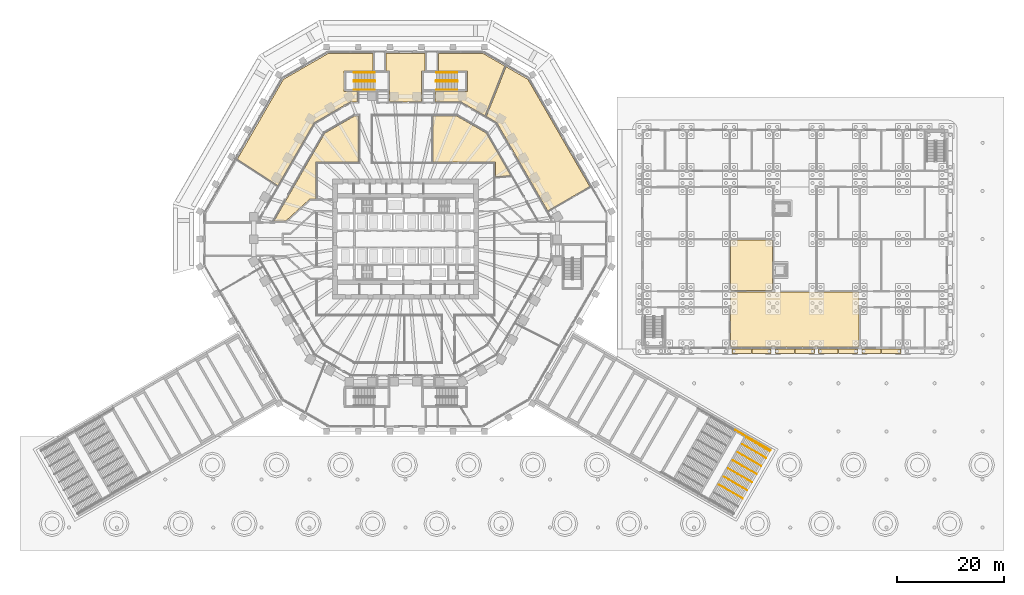
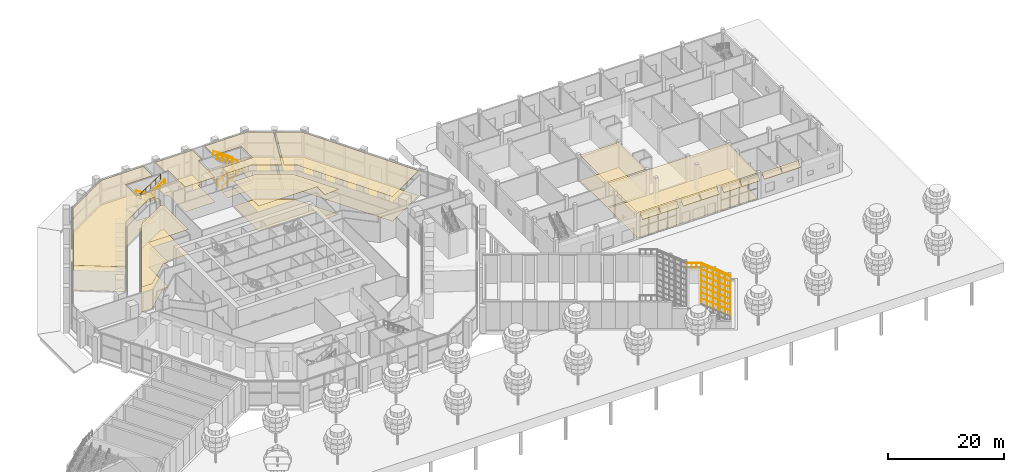
# One storey, part 38 of 44: 24 coverings, 15 railings.
"""IFC4 building model written with IfcOpenShell, lengths in metres."""

from ifc_helpers import new_model, si_unit, direction, frame, origin, origin_2d, place, context, subcontext, project, spatial, polyline, circle, outline, extrude, material, layer, layer_set, type_object, element, save


model = new_model("IFC4")

# Units and contexts
model_context = context("Model", 3, precision=1e-05, world=origin(), true_north=direction((0.0, 1.0)))
body_context = subcontext(model_context, "Body", "Model", "MODEL_VIEW")
ifc_project = project(units=[si_unit("LENGTHUNIT", "METRE"), si_unit("AREAUNIT", "SQUARE_METRE"), si_unit("VOLUMEUNIT", "CUBIC_METRE"), si_unit("PLANEANGLEUNIT", "RADIAN"), si_unit("MASSUNIT", "GRAM", prefix="KILO")], contexts=[model_context])

# Site, building, storey
site_placement = place(None, origin())
site = spatial("IfcSite", under=ifc_project, at=site_placement, CompositionType="ELEMENT")
building_placement = place(site_placement, origin())
building = spatial("IfcBuilding", under=site, at=building_placement, Name="Frailejon Research Tower", CompositionType="ELEMENT")
storey_placement = place(building_placement, origin())
storey = spatial("IfcBuildingStorey", under=building, at=storey_placement, Name="L00", CompositionType="ELEMENT", Elevation=0.0)

# Railings
ifc_material_1 = material(Name="Galvanised steel balustrade", Category="steel")
railing_type_1 = type_object("IfcRailingType", Name="Broad stair guard 1100", PredefinedType="GUARDRAIL", material=ifc_material_1)
railing_1_placement = place(storey_placement, frame((61.697509765625, -35.736572265625, 2.800048828125)))
element("IfcRailing", 1, at=railing_1_placement, inside=storey, type_object=railing_type_1, Name="Broad stair E1 landing guard", PredefinedType="GUARDRAIL", context=body_context, shape_type="SweptSolid", body=[
    extrude(circle(Radius=0.02392578125, at=origin_2d()), frame((0.0, 0.0, 1.076171875), z_axis=(0.866047370643, -0.499961950354, 0.0), x_axis=(0.499961950354, 0.866047370643, 0.0)), (0.0, 0.0, 1.0), 2.500244140625),
    extrude(circle(Radius=0.02099609375, at=origin_2d()), origin(), (0.0, 0.0, 1.0), 1.052001953125),
    extrude(circle(Radius=0.02099609375, at=origin_2d()), frame((0.7216796875, -0.416748046875, 0.0)), (0.0, 0.0, 1.0), 1.052001953125),
    extrude(circle(Radius=0.02099609375, at=origin_2d()), frame((1.443603515625, -0.833251953125, 0.0)), (0.0, 0.0, 1.0), 1.052001953125),
    extrude(circle(Radius=0.02099609375, at=origin_2d()), frame((2.165283203125, -1.25, 0.0)), (0.0, 0.0, 1.0), 1.052001953125),
])
railing_2_placement = place(storey_placement, frame((68.279296875, -39.53662109375, 0.155517578125)))
element("IfcRailing", 2, at=railing_2_placement, inside=storey, type_object=railing_type_1, Name="Broad stair E1 flight guard", PredefinedType="GUARDRAIL", context=body_context, shape_type="SweptSolid", body=[
    extrude(circle(Radius=0.02392578125, at=origin_2d()), frame((0.0, 0.0, 1.076171875), z_axis=(-0.768793665423, 0.443894407703, 0.460341237361), x_axis=(-0.500026340207, -0.866010195725, 0.0)), (0.0, 0.0, 1.0), 5.74462890625),
    extrude(circle(Radius=0.02099609375, at=origin_2d()), origin(), (0.0, 0.0, 1.0), 1.052001953125),
    extrude(circle(Radius=0.02099609375, at=origin_2d()), frame((-0.88330078125, 0.510009765625, 0.52880859375)), (0.0, 0.0, 1.0), 1.052001953125),
    extrude(circle(Radius=0.02099609375, at=origin_2d()), frame((-1.7666015625, 1.02001953125, 1.057861328125)), (0.0, 0.0, 1.0), 1.052001953125),
    extrude(circle(Radius=0.02099609375, at=origin_2d()), frame((-2.64990234375, 1.530029296875, 1.586669921875)), (0.0, 0.0, 1.0), 1.052001953125),
    extrude(circle(Radius=0.02099609375, at=origin_2d()), frame((-3.533203125, 2.0400390625, 2.11572265625)), (0.0, 0.0, 1.0), 1.052001953125),
    extrude(circle(Radius=0.02099609375, at=origin_2d()), frame((-4.41650390625, 2.550048828125, 2.64453125)), (0.0, 0.0, 1.0), 1.052001953125),
])
ifc_material_2 = material(Name="Stainless steel handrail", Category="steel")
railing_type_2 = type_object("IfcRailingType", Name="Broad stair handrail", PredefinedType="HANDRAIL", material=ifc_material_2)
for number, where, name in (
    (3, (63.079345703125, -48.543212890625, 0.155517578125), "Broad stair E1 flight handrail"),
    (4, (63.954345703125, -47.027587890625, 0.155517578125), "Broad stair E1 flight handrail"),
):
    element("IfcRailing", number, at=place(storey_placement, frame(where)), inside=storey, type_object=railing_type_2, Name=name, PredefinedType="HANDRAIL", context=body_context, shape_type="SweptSolid", body=[
        extrude(circle(Radius=0.02392578125, at=origin_2d()), frame((0.0, 0.0, 0.8759765625), z_axis=(-0.768825546697, 0.443845780206, 0.460334880428), x_axis=(-0.499969707105, -0.866042892689, 0.0)), (0.0, 0.0, 1.0), 5.744873046875),
        extrude(circle(Radius=0.02099609375, at=origin_2d()), origin(), (0.0, 0.0, 1.0), 0.851806640625),
        extrude(circle(Radius=0.02099609375, at=origin_2d()), frame((-0.88330078125, 0.510009765625, 0.52880859375)), (0.0, 0.0, 1.0), 0.851806640625),
        extrude(circle(Radius=0.02099609375, at=origin_2d()), frame((-1.7666015625, 1.02001953125, 1.057861328125)), (0.0, 0.0, 1.0), 0.851806640625),
        extrude(circle(Radius=0.02099609375, at=origin_2d()), frame((-2.650146484375, 1.52978515625, 1.586669921875)), (0.0, 0.0, 1.0), 0.851806640625),
        extrude(circle(Radius=0.02099609375, at=origin_2d()), frame((-3.533447265625, 2.039794921875, 2.11572265625)), (0.0, 0.0, 1.0), 0.851806640625),
        extrude(circle(Radius=0.02099609375, at=origin_2d()), frame((-4.416748046875, 2.5498046875, 2.64453125)), (0.0, 0.0, 1.0), 0.851806640625),
    ])
for number, where, name in (
    (5, (64.829345703125, -45.51220703125, 0.155517578125), "Broad stair E1 flight handrail"),
    (6, (65.704345703125, -43.99658203125, 0.155517578125), "Broad stair E1 flight handrail"),
    (7, (66.579345703125, -42.481201171875, 0.155517578125), "Broad stair E1 flight handrail"),
    (8, (67.454345703125, -40.965576171875, 0.155517578125), "Broad stair E1 flight handrail"),
):
    element("IfcRailing", number, at=place(storey_placement, frame(where)), inside=storey, type_object=railing_type_2, Name=name, PredefinedType="HANDRAIL", context=body_context, shape_type="SweptSolid", body=[
        extrude(circle(Radius=0.02392578125, at=origin_2d()), frame((0.0, 0.0, 0.8759765625), z_axis=(-0.768811044506, 0.443879904918, 0.46032619723), x_axis=(-0.500005610874, -0.86602216432, 0.0)), (0.0, 0.0, 1.0), 5.744873046875),
        extrude(circle(Radius=0.02099609375, at=origin_2d()), origin(), (0.0, 0.0, 1.0), 0.851806640625),
        extrude(circle(Radius=0.02099609375, at=origin_2d()), frame((-0.88330078125, 0.510009765625, 0.52880859375)), (0.0, 0.0, 1.0), 0.851806640625),
        extrude(circle(Radius=0.02099609375, at=origin_2d()), frame((-1.7666015625, 1.02001953125, 1.057861328125)), (0.0, 0.0, 1.0), 0.851806640625),
        extrude(circle(Radius=0.02099609375, at=origin_2d()), frame((-2.650146484375, 1.530029296875, 1.586669921875)), (0.0, 0.0, 1.0), 0.851806640625),
        extrude(circle(Radius=0.02099609375, at=origin_2d()), frame((-3.533447265625, 2.0400390625, 2.11572265625)), (0.0, 0.0, 1.0), 0.851806640625),
        extrude(circle(Radius=0.02099609375, at=origin_2d()), frame((-4.416748046875, 2.550048828125, 2.64453125)), (0.0, 0.0, 1.0), 0.851806640625),
    ])
railing_3_placement = place(storey_placement, frame((68.179443359375, -39.709716796875, 0.155517578125)))
element("IfcRailing", 9, at=railing_3_placement, inside=storey, type_object=railing_type_2, Name="Broad stair E1 flight handrail", PredefinedType="HANDRAIL", context=body_context, shape_type="SweptSolid", body=[
    extrude(circle(Radius=0.02392578125, at=origin_2d()), frame((0.0, 0.0, 0.8759765625), z_axis=(-0.768825546697, 0.443845780206, 0.460334880428), x_axis=(-0.499969707105, -0.866042892689, 0.0)), (0.0, 0.0, 1.0), 5.744873046875),
    extrude(circle(Radius=0.02099609375, at=origin_2d()), origin(), (0.0, 0.0, 1.0), 0.851806640625),
    extrude(circle(Radius=0.02099609375, at=origin_2d()), frame((-0.88330078125, 0.510009765625, 0.52880859375)), (0.0, 0.0, 1.0), 0.851806640625),
    extrude(circle(Radius=0.02099609375, at=origin_2d()), frame((-1.7666015625, 1.02001953125, 1.057861328125)), (0.0, 0.0, 1.0), 0.851806640625),
    extrude(circle(Radius=0.02099609375, at=origin_2d()), frame((-2.650146484375, 1.52978515625, 1.586669921875)), (0.0, 0.0, 1.0), 0.851806640625),
    extrude(circle(Radius=0.02099609375, at=origin_2d()), frame((-3.533447265625, 2.039794921875, 2.11572265625)), (0.0, 0.0, 1.0), 0.851806640625),
    extrude(circle(Radius=0.02099609375, at=origin_2d()), frame((-4.416748046875, 2.5498046875, 2.64453125)), (0.0, 0.0, 1.0), 0.851806640625),
])

# Coverings
ifc_material_3 = material(Name="Precast concrete C50/60", Category="concrete")
ifc_layer_1 = layer(ifc_material_3, 0.06005859375)
ifc_layer_set_1 = layer_set([ifc_layer_1], Name="HC visor depth 900")
covering_type_1 = type_object("IfcCoveringType", Name="HC visor depth 900", PredefinedType="CLADDING", material=ifc_layer_set_1)
for number, where, z_axis, x_axis, name in (
    (10, (64.699951171875, -20.550048828125, 5.449951171875), (-1.0, 0.0, 0.0), (0.0, -1.0, 0.0), "HC visor L00"),
    (11, (68.39990234375, -20.550048828125, 5.449951171875), (-1.0, 0.0, 0.0), (0.0, -1.0, 0.0), "HC visor L00"),
    (12, (72.800048828125, -20.550048828125, 5.449951171875), (-1.0, 0.0, 0.0), (0.0, -1.0, 0.0), "HC visor L00"),
    (13, (76.5, -20.550048828125, 5.449951171875), (-1.0, 0.0, 0.0), (0.0, -1.0, 0.0), "HC visor L00"),
    (14, (80.89990234375, -20.550048828125, 5.449951171875), (-1.0, 0.0, 0.0), (0.0, -1.0, 0.0), "HC visor L00"),
    (15, (84.60009765625, -20.550048828125, 5.449951171875), (-1.0, 0.0, 0.0), (0.0, -1.0, 0.0), "HC visor L00"),
    (16, (89.0, -20.550048828125, 5.449951171875), (-1.0, 0.0, 0.0), (0.0, -1.0, 0.0), "HC visor L00"),
    (17, (92.699951171875, -20.550048828125, 5.449951171875), (-1.0, 0.0, 0.0), (0.0, -1.0, 0.0), "HC visor L00"),
):
    element("IfcCovering", number, at=place(storey_placement, frame(where, z_axis=z_axis, x_axis=x_axis)), inside=storey, type_object=covering_type_1, Name=name, PredefinedType="CLADDING", context=body_context, shape_type="SweptSolid", body=[
        extrude(outline(polyline([(0.0, -0.0849609375), (0.89990234375, -0.98486328125), (0.89990234375, -0.89990234375), (0.0, 0.0), (0.0, -0.0849609375)])), origin(), (0.0, 0.0, 1.0), 3.60009765625),
    ])

# Railings
ifc_material_4 = material(Name="Stainless steel", Category="steel")
railing_type_3 = type_object("IfcRailingType", Name="Stair guard 1100", PredefinedType="GUARDRAIL", material=ifc_material_4)
railing_4_placement = place(storey_placement, frame((-5.70703125, 29.47509765625, 0.0)))
element("IfcRailing", 18, at=railing_4_placement, inside=storey, type_object=railing_type_3, Name="L00 PS1 stair guard 1", PredefinedType="GUARDRAIL", context=body_context, shape_type="SweptSolid", body=[
    extrude(circle(Radius=0.02392578125, at=origin_2d()), frame((0.0, 0.0, 1.076171875), z_axis=(0.0, 1.0, 0.0), x_axis=(-1.0, 0.0, 0.0)), (0.0, 0.0, 1.0), 0.14990234375),
    extrude(circle(Radius=0.02392578125, at=origin_2d()), frame((0.0, 0.14990234375, 1.076171875), z_axis=(-0.249436846467, 0.250659576107, 0.935388174252), x_axis=(-0.708833529934, -0.705375805398, 0.0)), (0.0, 0.0, 1.0), 0.19970703125),
    extrude(circle(Radius=0.02392578125, at=origin_2d()), frame((-0.0498046875, 0.199951171875, 1.2626953125), z_axis=(-0.832066238466, 0.0, 0.554676279289), x_axis=(0.0, -1.0, 0.0)), (0.0, 0.0, 1.0), 4.71142578125),
    extrude(circle(Radius=0.02392578125, at=origin_2d()), frame((-3.969970703125, 0.199951171875, 3.8759765625), z_axis=(-0.707106781187, -0.707106781187, 0.0), x_axis=(0.707106781187, -0.707106781187, 0.0)), (0.0, 0.0, 1.0), 0.07080078125),
    extrude(circle(Radius=0.02392578125, at=origin_2d()), frame((-4.02001953125, 0.14990234375, 3.8759765625), z_axis=(0.0, -1.0, 0.0), x_axis=(1.0, 0.0, 0.0)), (0.0, 0.0, 1.0), 0.14990234375),
    extrude(circle(Radius=0.02392578125, at=origin_2d()), frame((-4.02001953125, 0.0, 3.8759765625), z_axis=(0.250869701741, -0.250869701741, 0.934948546978), x_axis=(0.707106781187, 0.707106781187, 0.0)), (0.0, 0.0, 1.0), 0.199462890625),
    extrude(circle(Radius=0.02392578125, at=origin_2d()), frame((-3.969970703125, -0.050048828125, 4.0625), z_axis=(0.832042322245, 0.0, 0.554712154178), x_axis=(0.0, 1.0, 0.0)), (0.0, 0.0, 1.0), 4.71142578125),
    extrude(circle(Radius=0.02099609375, at=origin_2d()), origin(), (0.0, 0.0, 1.0), 1.052001953125),
    extrude(circle(Radius=0.02099609375, at=origin_2d()), frame((0.0, 0.14990234375, 0.0)), (0.0, 0.0, 1.0), 1.052001953125),
    extrude(circle(Radius=0.02099609375, at=origin_2d()), frame((-0.0498046875, 0.199951171875, 0.186767578125)), (0.0, 0.0, 1.0), 1.052001953125),
    extrude(circle(Radius=0.02099609375, at=origin_2d()), frame((-1.02978515625, 0.199951171875, 0.840087890625)), (0.0, 0.0, 1.0), 1.052001953125),
    extrude(circle(Radius=0.02099609375, at=origin_2d()), frame((-2.009765625, 0.199951171875, 1.493408203125)), (0.0, 0.0, 1.0), 1.052001953125),
    extrude(circle(Radius=0.02099609375, at=origin_2d()), frame((-2.989990234375, 0.199951171875, 2.146728515625)), (0.0, 0.0, 1.0), 1.052001953125),
    extrude(circle(Radius=0.02099609375, at=origin_2d()), frame((-3.969970703125, 0.199951171875, 2.800048828125)), (0.0, 0.0, 1.0), 1.052001953125),
    extrude(circle(Radius=0.02099609375, at=origin_2d()), frame((-4.02001953125, 0.14990234375, 2.800048828125)), (0.0, 0.0, 1.0), 1.052001953125),
    extrude(circle(Radius=0.02099609375, at=origin_2d()), frame((-4.02001953125, 0.0, 2.800048828125)), (0.0, 0.0, 1.0), 1.052001953125),
    extrude(circle(Radius=0.02099609375, at=origin_2d()), frame((-3.969970703125, -0.050048828125, 2.986572265625)), (0.0, 0.0, 1.0), 1.052001953125),
    extrude(circle(Radius=0.02099609375, at=origin_2d()), frame((-2.989990234375, -0.050048828125, 3.639892578125)), (0.0, 0.0, 1.0), 1.052001953125),
    extrude(circle(Radius=0.02099609375, at=origin_2d()), frame((-2.009765625, -0.050048828125, 4.29345703125)), (0.0, 0.0, 1.0), 1.052001953125),
    extrude(circle(Radius=0.02099609375, at=origin_2d()), frame((-1.02978515625, -0.050048828125, 4.94677734375)), (0.0, 0.0, 1.0), 1.052001953125),
    extrude(circle(Radius=0.02099609375, at=origin_2d()), frame((-0.0498046875, -0.050048828125, 5.60009765625)), (0.0, 0.0, 1.0), 1.052001953125),
])
railing_5_placement = place(storey_placement, frame((5.70703125, 29.625, 0.0)))
element("IfcRailing", 19, at=railing_5_placement, inside=storey, type_object=railing_type_3, Name="L00 PS2 stair guard 1", PredefinedType="GUARDRAIL", context=body_context, shape_type="SweptSolid", body=[
    extrude(circle(Radius=0.02392578125, at=origin_2d()), frame((0.0, 0.0, 1.076171875), z_axis=(0.0, -1.0, 0.0), x_axis=(1.0, 0.0, 0.0)), (0.0, 0.0, 1.0), 0.14990234375),
    extrude(circle(Radius=0.02392578125, at=origin_2d()), frame((0.0, -0.14990234375, 1.076171875), z_axis=(0.249436846467, -0.250659576107, 0.935388174252), x_axis=(0.708833529934, 0.705375805398, 0.0)), (0.0, 0.0, 1.0), 0.19970703125),
    extrude(circle(Radius=0.02392578125, at=origin_2d()), frame((0.0498046875, -0.199951171875, 1.2626953125), z_axis=(0.832066238466, 0.0, 0.554676279289), x_axis=(0.0, 1.0, 0.0)), (0.0, 0.0, 1.0), 4.71142578125),
    extrude(circle(Radius=0.02392578125, at=origin_2d()), frame((3.969970703125, -0.199951171875, 3.8759765625), z_axis=(0.707106781187, 0.707106781187, 0.0), x_axis=(-0.707106781187, 0.707106781187, 0.0)), (0.0, 0.0, 1.0), 0.07080078125),
    extrude(circle(Radius=0.02392578125, at=origin_2d()), frame((4.02001953125, -0.14990234375, 3.8759765625), z_axis=(0.0, 1.0, 0.0), x_axis=(-1.0, 0.0, 0.0)), (0.0, 0.0, 1.0), 0.14990234375),
    extrude(circle(Radius=0.02392578125, at=origin_2d()), frame((4.02001953125, 0.0, 3.8759765625), z_axis=(-0.250869701741, 0.250869701741, 0.934948546978), x_axis=(-0.707106781187, -0.707106781187, 0.0)), (0.0, 0.0, 1.0), 0.199462890625),
    extrude(circle(Radius=0.02392578125, at=origin_2d()), frame((3.969970703125, 0.050048828125, 4.0625), z_axis=(-0.832042322245, 0.0, 0.554712154178), x_axis=(0.0, -1.0, 0.0)), (0.0, 0.0, 1.0), 4.71142578125),
    extrude(circle(Radius=0.02099609375, at=origin_2d()), origin(), (0.0, 0.0, 1.0), 1.052001953125),
    extrude(circle(Radius=0.02099609375, at=origin_2d()), frame((0.0, -0.14990234375, 0.0)), (0.0, 0.0, 1.0), 1.052001953125),
    extrude(circle(Radius=0.02099609375, at=origin_2d()), frame((0.0498046875, -0.199951171875, 0.186767578125)), (0.0, 0.0, 1.0), 1.052001953125),
    extrude(circle(Radius=0.02099609375, at=origin_2d()), frame((1.02978515625, -0.199951171875, 0.840087890625)), (0.0, 0.0, 1.0), 1.052001953125),
    extrude(circle(Radius=0.02099609375, at=origin_2d()), frame((2.009765625, -0.199951171875, 1.493408203125)), (0.0, 0.0, 1.0), 1.052001953125),
    extrude(circle(Radius=0.02099609375, at=origin_2d()), frame((2.989990234375, -0.199951171875, 2.146728515625)), (0.0, 0.0, 1.0), 1.052001953125),
    extrude(circle(Radius=0.02099609375, at=origin_2d()), frame((3.969970703125, -0.199951171875, 2.800048828125)), (0.0, 0.0, 1.0), 1.052001953125),
    extrude(circle(Radius=0.02099609375, at=origin_2d()), frame((4.02001953125, -0.14990234375, 2.800048828125)), (0.0, 0.0, 1.0), 1.052001953125),
    extrude(circle(Radius=0.02099609375, at=origin_2d()), frame((4.02001953125, 0.0, 2.800048828125)), (0.0, 0.0, 1.0), 1.052001953125),
    extrude(circle(Radius=0.02099609375, at=origin_2d()), frame((3.969970703125, 0.050048828125, 2.986572265625)), (0.0, 0.0, 1.0), 1.052001953125),
    extrude(circle(Radius=0.02099609375, at=origin_2d()), frame((2.989990234375, 0.050048828125, 3.639892578125)), (0.0, 0.0, 1.0), 1.052001953125),
    extrude(circle(Radius=0.02099609375, at=origin_2d()), frame((2.009765625, 0.050048828125, 4.29345703125)), (0.0, 0.0, 1.0), 1.052001953125),
    extrude(circle(Radius=0.02099609375, at=origin_2d()), frame((1.02978515625, 0.050048828125, 4.94677734375)), (0.0, 0.0, 1.0), 1.052001953125),
    extrude(circle(Radius=0.02099609375, at=origin_2d()), frame((0.0498046875, 0.050048828125, 5.60009765625)), (0.0, 0.0, 1.0), 1.052001953125),
])
ifc_material_5 = material(Name="Stainless steel", Category="steel")
railing_type_4 = type_object("IfcRailingType", Name="Stair handrail 900", PredefinedType="HANDRAIL", material=ifc_material_5)
railing_6_placement = place(storey_placement, frame((-5.7568359375, 31.175048828125, 0.186767578125)))
element("IfcRailing", 20, at=railing_6_placement, inside=storey, type_object=railing_type_4, Name="L00 PS1 stair handrail 1", PredefinedType="HANDRAIL", context=body_context, shape_type="SweptSolid", body=[
    extrude(circle(Radius=0.02392578125, at=origin_2d()), frame((0.0, 0.0, 0.8759765625), z_axis=(-0.832066238466, 0.0, 0.554676279289), x_axis=(0.0, -1.0, 0.0)), (0.0, 0.0, 1.0), 4.71142578125),
    extrude(circle(Radius=0.02099609375, at=origin_2d()), origin(), (0.0, 0.0, 1.0), 0.851806640625),
    extrude(circle(Radius=0.02099609375, at=origin_2d()), frame((-0.97998046875, 0.0, 0.6533203125)), (0.0, 0.0, 1.0), 0.851806640625),
    extrude(circle(Radius=0.02099609375, at=origin_2d()), frame((-1.9599609375, 0.0, 1.306640625)), (0.0, 0.0, 1.0), 0.851806640625),
    extrude(circle(Radius=0.02099609375, at=origin_2d()), frame((-2.940185546875, 0.0, 1.9599609375)), (0.0, 0.0, 1.0), 0.851806640625),
    extrude(circle(Radius=0.02099609375, at=origin_2d()), frame((-3.920166015625, 0.0, 2.61328125)), (0.0, 0.0, 1.0), 0.851806640625),
])
railing_7_placement = place(storey_placement, frame((-9.677001953125, 27.925048828125, 2.986572265625)))
element("IfcRailing", 21, at=railing_7_placement, inside=storey, type_object=railing_type_4, Name="L00 PS1 stair handrail 2", PredefinedType="HANDRAIL", context=body_context, shape_type="SweptSolid", body=[
    extrude(circle(Radius=0.02392578125, at=origin_2d()), frame((0.0, 0.0, 0.8759765625), z_axis=(0.832042322245, 0.0, 0.554712154178), x_axis=(0.0, 1.0, 0.0)), (0.0, 0.0, 1.0), 4.71142578125),
    extrude(circle(Radius=0.02099609375, at=origin_2d()), origin(), (0.0, 0.0, 1.0), 0.851806640625),
    extrude(circle(Radius=0.02099609375, at=origin_2d()), frame((0.97998046875, 0.0, 0.6533203125)), (0.0, 0.0, 1.0), 0.851806640625),
    extrude(circle(Radius=0.02099609375, at=origin_2d()), frame((1.9599609375, 0.0, 1.306640625)), (0.0, 0.0, 1.0), 0.851806640625),
    extrude(circle(Radius=0.02099609375, at=origin_2d()), frame((2.940185546875, 0.0, 1.960205078125)), (0.0, 0.0, 1.0), 0.851806640625),
    extrude(circle(Radius=0.02099609375, at=origin_2d()), frame((3.920166015625, 0.0, 2.613525390625)), (0.0, 0.0, 1.0), 0.851806640625),
])
railing_8_placement = place(storey_placement, frame((5.7568359375, 27.925048828125, 0.186767578125)))
element("IfcRailing", 22, at=railing_8_placement, inside=storey, type_object=railing_type_4, Name="L00 PS2 stair handrail 1", PredefinedType="HANDRAIL", context=body_context, shape_type="SweptSolid", body=[
    extrude(circle(Radius=0.02392578125, at=origin_2d()), frame((0.0, 0.0, 0.8759765625), z_axis=(0.832066238466, 0.0, 0.554676279289), x_axis=(0.0, 1.0, 0.0)), (0.0, 0.0, 1.0), 4.71142578125),
    extrude(circle(Radius=0.02099609375, at=origin_2d()), origin(), (0.0, 0.0, 1.0), 0.851806640625),
    extrude(circle(Radius=0.02099609375, at=origin_2d()), frame((0.97998046875, 0.0, 0.6533203125)), (0.0, 0.0, 1.0), 0.851806640625),
    extrude(circle(Radius=0.02099609375, at=origin_2d()), frame((1.9599609375, 0.0, 1.306640625)), (0.0, 0.0, 1.0), 0.851806640625),
    extrude(circle(Radius=0.02099609375, at=origin_2d()), frame((2.940185546875, 0.0, 1.9599609375)), (0.0, 0.0, 1.0), 0.851806640625),
    extrude(circle(Radius=0.02099609375, at=origin_2d()), frame((3.920166015625, 0.0, 2.61328125)), (0.0, 0.0, 1.0), 0.851806640625),
])
railing_9_placement = place(storey_placement, frame((9.677001953125, 31.175048828125, 2.986572265625)))
element("IfcRailing", 23, at=railing_9_placement, inside=storey, type_object=railing_type_4, Name="L00 PS2 stair handrail 2", PredefinedType="HANDRAIL", context=body_context, shape_type="SweptSolid", body=[
    extrude(circle(Radius=0.02392578125, at=origin_2d()), frame((0.0, 0.0, 0.8759765625), z_axis=(-0.832042322245, 0.0, 0.554712154178), x_axis=(0.0, -1.0, 0.0)), (0.0, 0.0, 1.0), 4.71142578125),
    extrude(circle(Radius=0.02099609375, at=origin_2d()), origin(), (0.0, 0.0, 1.0), 0.851806640625),
    extrude(circle(Radius=0.02099609375, at=origin_2d()), frame((-0.97998046875, 0.0, 0.6533203125)), (0.0, 0.0, 1.0), 0.851806640625),
    extrude(circle(Radius=0.02099609375, at=origin_2d()), frame((-1.9599609375, 0.0, 1.306640625)), (0.0, 0.0, 1.0), 0.851806640625),
    extrude(circle(Radius=0.02099609375, at=origin_2d()), frame((-2.940185546875, 0.0, 1.960205078125)), (0.0, 0.0, 1.0), 0.851806640625),
    extrude(circle(Radius=0.02099609375, at=origin_2d()), frame((-3.920166015625, 0.0, 2.613525390625)), (0.0, 0.0, 1.0), 0.851806640625),
])

# Coverings
ifc_material_6 = material(Name="Mineral fibre ceiling board")
ifc_layer_2 = layer(ifc_material_6, 0.0400390625)
ifc_layer_set_2 = layer_set([ifc_layer_2], Name="Suspended ceiling 40")
covering_type_2 = type_object("IfcCoveringType", Name="Suspended ceiling 40", PredefinedType="CEILING", material=ifc_layer_set_2)
covering_1_placement = place(storey_placement, frame((0.0, 0.0, 5.2099609375)))
element("IfcCovering", 24, at=covering_1_placement, inside=storey, type_object=covering_type_2, Name="Ceiling Visitor centre L00-011", PredefinedType="CEILING", context=body_context, shape_type="SweptSolid", body=[
    extrude(outline(polyline([(15.105224609375, 22.921142578125), (17.093505859375, 21.773193359375), (26.613525390625, 5.283935546875), (34.468505859375, 9.81884765625), (22.876953125, 29.89599609375), (18.804931640625, 32.2470703125), (15.105224609375, 22.921142578125)])), origin(), (0.0, 0.0, 1.0), 0.0400390625),
])
covering_2_placement = place(storey_placement, frame((0.0, 0.0, 5.2099609375)))
element("IfcCovering", 25, at=covering_2_placement, inside=storey, type_object=covering_type_2, Name="Ceiling Exhibition hall L00-012", PredefinedType="CEILING", context=body_context, shape_type="SweptSolid", body=[
    extrude(outline(polyline([(19.71435546875, 11.87353515625), (15.131591796875, 19.811279296875), (9.591064453125, 23.010009765625), (5.15087890625, 23.010009765625), (5.15087890625, 14.389892578125), (16.7900390625, 14.389892578125), (16.7900390625, 11.640380859375), (19.71435546875, 11.87353515625)])), origin(), (0.0, 0.0, 1.0), 0.0400390625),
])
covering_3_placement = place(storey_placement, frame((0.0, 0.0, 5.2099609375)))
element("IfcCovering", 26, at=covering_3_placement, inside=storey, type_object=covering_type_2, Name="Ceiling Reception hall L00-013", PredefinedType="CEILING", context=body_context, shape_type="SweptSolid", body=[
    extrude(outline(polyline([(5.471923828125, 25.68994140625), (10.30908203125, 25.68994140625), (14.860107421875, 23.0625), (18.559814453125, 32.388427734375), (14.452392578125, 34.760009765625), (6.136962890625, 34.760009765625), (6.136962890625, 31.489990234375), (11.5419921875, 31.489990234375), (11.5419921875, 27.610107421875), (5.471923828125, 27.610107421875), (5.471923828125, 25.68994140625)])), origin(), (0.0, 0.0, 1.0), 0.0400390625),
])
covering_4_placement = place(storey_placement, frame((0.0, 0.0, 5.2099609375)))
element("IfcCovering", 27, at=covering_4_placement, inside=storey, type_object=covering_type_2, Name="Ceiling Exhibition hall L00-015", PredefinedType="CEILING", context=body_context, shape_type="SweptSolid", body=[
    extrude(outline(polyline([(-17.093505859375, 21.773193359375), (-10.30908203125, 25.68994140625), (-9.0107421875, 25.68994140625), (-9.0107421875, 27.610107421875), (-11.5419921875, 27.610107421875), (-11.5419921875, 31.489990234375), (-6.136962890625, 31.489990234375), (-6.136962890625, 34.760009765625), (-14.452392578125, 34.760009765625), (-22.876953125, 29.89599609375), (-31.51513671875, 14.93408203125), (-23.90283203125, 9.97900390625), (-17.093505859375, 21.773193359375)])), origin(), (0.0, 0.0, 1.0), 0.0400390625),
])
covering_5_placement = place(storey_placement, frame((0.0, 0.0, 5.2099609375)))
element("IfcCovering", 28, at=covering_5_placement, inside=storey, type_object=covering_type_2, Name="Ceiling Exhibition hall L00-016", PredefinedType="CEILING", context=body_context, shape_type="SweptSolid", body=[
    extrude(outline(polyline([(-24.639892578125, 3.239990234375), (-24.639892578125, 3.340087890625), (-22.48095703125, 3.340087890625), (-17.880859375, 7.5400390625), (-16.7900390625, 7.5400390625), (-16.7900390625, 14.389892578125), (-8.840087890625, 14.389892578125), (-8.840087890625, 23.010009765625), (-9.591064453125, 23.010009765625), (-15.131591796875, 19.811279296875), (-24.698974609375, 3.239990234375), (-24.639892578125, 3.239990234375)])), origin(), (0.0, 0.0, 1.0), 0.0400390625),
])
covering_6_placement = place(storey_placement, frame((0.0, 0.0, 5.2099609375)))
element("IfcCovering", 29, at=covering_6_placement, inside=storey, type_object=covering_type_2, Name="Ceiling Reception hall L00-030", PredefinedType="CEILING", context=body_context, shape_type="SweptSolid", body=[
    extrude(outline(polyline([(-2.991943359375, 25.68994140625), (2.991943359375, 25.68994140625), (2.991943359375, 31.489990234375), (3.656982421875, 31.489990234375), (3.656982421875, 34.760009765625), (-3.656982421875, 34.760009765625), (-3.656982421875, 31.489990234375), (-2.991943359375, 31.489990234375), (-2.991943359375, 25.68994140625)])), origin(), (0.0, 0.0, 1.0), 0.0400390625),
])
covering_7_placement = place(storey_placement, frame((0.0, 0.0, 5.31005859375)))
element("IfcCovering", 30, at=covering_7_placement, inside=storey, type_object=covering_type_2, Name="Ceiling Reception and waiting hall H003", PredefinedType="CEILING", context=body_context, shape_type="SweptSolid", body=[
    extrude(outline(polyline([(84.85009765625, -9.89990234375), (60.85009765625, -9.89990234375), (60.85009765625, -20.199951171875), (84.85009765625, -20.199951171875), (84.85009765625, -9.89990234375)])), origin(), (0.0, 0.0, 1.0), 0.0400390625),
])
covering_8_placement = place(storey_placement, frame((0.0, 0.0, 5.31005859375)))
element("IfcCovering", 31, at=covering_8_placement, inside=storey, type_object=covering_type_2, Name="Ceiling Imaging waiting area H012", PredefinedType="CEILING", context=body_context, shape_type="SweptSolid", body=[
    extrude(outline(polyline([(68.64990234375, -0.14990234375), (60.85009765625, -0.14990234375), (60.85009765625, -9.60009765625), (68.64990234375, -9.60009765625), (68.64990234375, -0.14990234375)])), origin(), (0.0, 0.0, 1.0), 0.0400390625),
])
ifc_material_7 = material(Name="Polished terrazzo")
ifc_layer_3 = layer(ifc_material_7, 0.030029296875)
ifc_layer_set_3 = layer_set([ifc_layer_3], Name="Terrazzo floor finish 30")
covering_type_3 = type_object("IfcCoveringType", Name="Terrazzo floor finish 30", PredefinedType="FLOORING", material=ifc_layer_set_3)
covering_9_placement = place(storey_placement, origin())
element("IfcCovering", 32, at=covering_9_placement, inside=storey, type_object=covering_type_3, Name="Floor finish Visitor centre L00-011", PredefinedType="FLOORING", context=body_context, shape_type="SweptSolid", body=[
    extrude(outline(polyline([(15.105224609375, 22.921142578125), (17.093505859375, 21.773193359375), (26.613525390625, 5.283935546875), (34.468505859375, 9.81884765625), (22.876953125, 29.89599609375), (18.804931640625, 32.2470703125), (15.105224609375, 22.921142578125)])), origin(), (0.0, 0.0, 1.0), 0.030029296875),
])
covering_10_placement = place(storey_placement, origin())
element("IfcCovering", 33, at=covering_10_placement, inside=storey, type_object=covering_type_3, Name="Floor finish Exhibition hall L00-012", PredefinedType="FLOORING", context=body_context, shape_type="SweptSolid", body=[
    extrude(outline(polyline([(19.71435546875, 11.87353515625), (15.131591796875, 19.811279296875), (9.591064453125, 23.010009765625), (5.15087890625, 23.010009765625), (5.15087890625, 14.389892578125), (16.7900390625, 14.389892578125), (16.7900390625, 11.640380859375), (19.71435546875, 11.87353515625)])), origin(), (0.0, 0.0, 1.0), 0.030029296875),
])
covering_11_placement = place(storey_placement, origin())
element("IfcCovering", 34, at=covering_11_placement, inside=storey, type_object=covering_type_3, Name="Floor finish Reception hall L00-013", PredefinedType="FLOORING", context=body_context, shape_type="SweptSolid", body=[
    extrude(outline(polyline([(5.471923828125, 25.68994140625), (10.30908203125, 25.68994140625), (14.860107421875, 23.0625), (18.559814453125, 32.388427734375), (14.452392578125, 34.760009765625), (6.136962890625, 34.760009765625), (6.136962890625, 31.489990234375), (11.5419921875, 31.489990234375), (11.5419921875, 27.610107421875), (5.471923828125, 27.610107421875), (5.471923828125, 25.68994140625)])), origin(), (0.0, 0.0, 1.0), 0.030029296875),
])
covering_12_placement = place(storey_placement, origin())
element("IfcCovering", 35, at=covering_12_placement, inside=storey, type_object=covering_type_3, Name="Floor finish Exhibition hall L00-015", PredefinedType="FLOORING", context=body_context, shape_type="SweptSolid", body=[
    extrude(outline(polyline([(-17.093505859375, 21.773193359375), (-10.30908203125, 25.68994140625), (-9.0107421875, 25.68994140625), (-9.0107421875, 27.610107421875), (-11.5419921875, 27.610107421875), (-11.5419921875, 31.489990234375), (-6.136962890625, 31.489990234375), (-6.136962890625, 34.760009765625), (-14.452392578125, 34.760009765625), (-22.876953125, 29.89599609375), (-31.51513671875, 14.93408203125), (-23.90283203125, 9.97900390625), (-17.093505859375, 21.773193359375)])), origin(), (0.0, 0.0, 1.0), 0.030029296875),
])
covering_13_placement = place(storey_placement, origin())
element("IfcCovering", 36, at=covering_13_placement, inside=storey, type_object=covering_type_3, Name="Floor finish Exhibition hall L00-016", PredefinedType="FLOORING", context=body_context, shape_type="SweptSolid", body=[
    extrude(outline(polyline([(-24.639892578125, 3.239990234375), (-24.639892578125, 3.340087890625), (-22.48095703125, 3.340087890625), (-17.880859375, 7.5400390625), (-16.7900390625, 7.5400390625), (-16.7900390625, 14.389892578125), (-8.840087890625, 14.389892578125), (-8.840087890625, 23.010009765625), (-9.591064453125, 23.010009765625), (-15.131591796875, 19.811279296875), (-24.698974609375, 3.239990234375), (-24.639892578125, 3.239990234375)])), origin(), (0.0, 0.0, 1.0), 0.030029296875),
])
covering_14_placement = place(storey_placement, origin())
element("IfcCovering", 37, at=covering_14_placement, inside=storey, type_object=covering_type_3, Name="Floor finish Reception hall L00-030", PredefinedType="FLOORING", context=body_context, shape_type="SweptSolid", body=[
    extrude(outline(polyline([(-2.991943359375, 25.68994140625), (2.991943359375, 25.68994140625), (2.991943359375, 31.489990234375), (3.656982421875, 31.489990234375), (3.656982421875, 34.760009765625), (-3.656982421875, 34.760009765625), (-3.656982421875, 31.489990234375), (-2.991943359375, 31.489990234375), (-2.991943359375, 25.68994140625)])), origin(), (0.0, 0.0, 1.0), 0.030029296875),
])
covering_15_placement = place(storey_placement, origin())
element("IfcCovering", 38, at=covering_15_placement, inside=storey, type_object=covering_type_3, Name="Floor finish Reception and waiting hall H003", PredefinedType="FLOORING", context=body_context, shape_type="SweptSolid", body=[
    extrude(outline(polyline([(84.85009765625, -9.89990234375), (60.85009765625, -9.89990234375), (60.85009765625, -20.199951171875), (84.85009765625, -20.199951171875), (84.85009765625, -9.89990234375)])), origin(), (0.0, 0.0, 1.0), 0.030029296875),
])
covering_16_placement = place(storey_placement, origin())
element("IfcCovering", 39, at=covering_16_placement, inside=storey, type_object=covering_type_3, Name="Floor finish Imaging waiting area H012", PredefinedType="FLOORING", context=body_context, shape_type="SweptSolid", body=[
    extrude(outline(polyline([(68.64990234375, -0.14990234375), (60.85009765625, -0.14990234375), (60.85009765625, -9.60009765625), (68.64990234375, -9.60009765625), (68.64990234375, -0.14990234375)])), origin(), (0.0, 0.0, 1.0), 0.030029296875),
])

save(model, "model.ifc")
